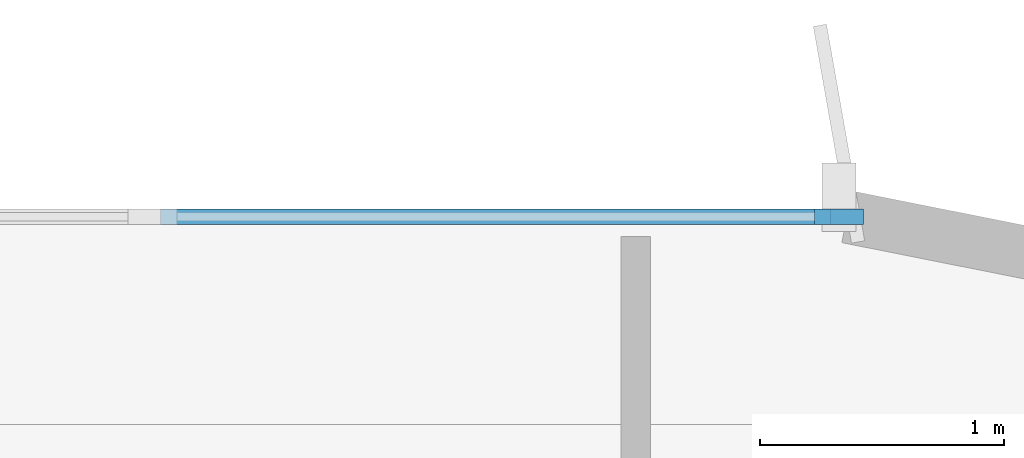
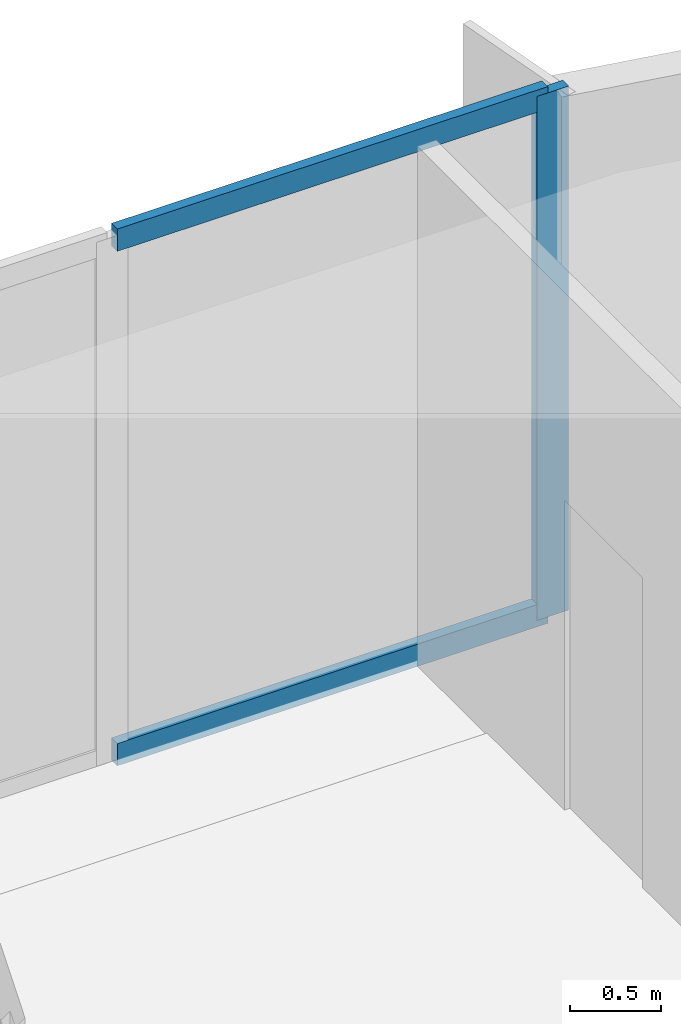
# One storey, part 8 of 19: 3 members, 1 element without a shape of its own.
"""IFC4 building model written with IfcOpenShell, lengths in metres."""

import ifcopenshell
import ifcopenshell.guid

model = None  # the IFC model being written
_history = None  # IfcOwnerHistory: only IFC2X3 demands one
_inside = {}  # id of a spatial element -> (the spatial element, [elements in it])
_under = {}  # id of a project, library or spatial element -> (it, [spatial elements below it])
_declared = {}  # id of a project -> (the project, [libraries it declares])
_typed = {}  # id of a type object -> (the type object, [elements of that type])
_made_of = {}  # id of a material, layer set ... -> (it, [elements and type objects made of it])


def new_model(schema):
    """Start an empty IFC model of exactly this schema.

    Asked for "IFC4X3", IfcOpenShell would pick the latest addendum, in which some entities
    have other attributes; the version numbers below select the first issue.
    IFC2X3 requires an IfcOwnerHistory on every rooted entity: one is made here for all.
    """
    global model, _history
    if schema == "IFC4X3":
        model = ifcopenshell.file(schema_version=(4, 3, 0, 0))
    else:
        model = ifcopenshell.file(schema=schema)
    _inside.clear()
    _under.clear()
    _declared.clear()
    _typed.clear()
    _made_of.clear()
    _history = None
    if model.schema == "IFC2X3":
        org = make("IfcOrganization", Name="unknown")
        user = make(
            "IfcPersonAndOrganization",
            ThePerson=make("IfcPerson", FamilyName="unknown"),
            TheOrganization=org,
        )
        app = make(
            "IfcApplication",
            ApplicationDeveloper=org,
            Version="unknown",
            ApplicationFullName="unknown",
            ApplicationIdentifier="unknown",
        )
        _history = make(
            "IfcOwnerHistory",
            OwningUser=user,
            OwningApplication=app,
            ChangeAction="ADDED",
            CreationDate=0,
        )
    return model


def make(cls, **values):
    """One entity of the class cls with the attributes given. An attribute that is None is left unset."""
    return model.create_entity(
        cls, **{name: value for name, value in values.items() if value is not None}
    )


def rooted(cls, **values):
    """An entity with a GlobalId (a new one), such as an element, a storey or a relation."""
    return make(cls, GlobalId=ifcopenshell.guid.new(), OwnerHistory=_history, **values)


def si_unit(unit_type, name, prefix=None):
    """IfcSIUnit, for example si_unit("LENGTHUNIT", "METRE", prefix="MILLI")."""
    return make("IfcSIUnit", UnitType=unit_type, Prefix=prefix, Name=name)


def assignment(units):
    """IfcUnitAssignment: the units of a project."""
    return None if units is None else make("IfcUnitAssignment", Units=units)


def point(xyz):
    """IfcCartesianPoint."""
    return None if xyz is None else make("IfcCartesianPoint", Coordinates=xyz)


def direction(xyz):
    """IfcDirection."""
    return None if xyz is None else make("IfcDirection", DirectionRatios=xyz)


def frame(location, z_axis=None, x_axis=None):
    """IfcAxis2Placement3D, a coordinate frame: its origin and axes. An axis left out is left unset."""
    return make(
        "IfcAxis2Placement3D",
        Location=point(location),
        Axis=direction(z_axis),
        RefDirection=direction(x_axis),
    )


def frame_2d(location, x_axis=None):
    """IfcAxis2Placement2D, a coordinate frame in the plane: its origin and x axis."""
    return make(
        "IfcAxis2Placement2D", Location=point(location), RefDirection=direction(x_axis)
    )


def origin():
    """The frame at (0, 0, 0) with its axes left unset."""
    return frame((0.0, 0.0, 0.0))


def origin_2d():
    """The frame at (0, 0) in the plane with its x axis left unset."""
    return frame_2d((0.0, 0.0))


def place(relative_to, where):
    """IfcLocalPlacement: puts the frame where relative to a parent placement (None: the world)."""
    return make(
        "IfcLocalPlacement", PlacementRelTo=relative_to, RelativePlacement=where
    )


def context(
    kind, dimensions, precision=None, world=None, true_north=None, identifier=None
):
    """IfcGeometricRepresentationContext, for example the 3D "Model" context."""
    return make(
        "IfcGeometricRepresentationContext",
        ContextIdentifier=identifier,
        ContextType=kind,
        CoordinateSpaceDimension=dimensions,
        Precision=precision,
        WorldCoordinateSystem=world,
        TrueNorth=true_north,
    )


def subcontext(parent, identifier, kind, view, scale=None):
    """IfcGeometricRepresentationSubContext, for example "Body" below "Model"."""
    return make(
        "IfcGeometricRepresentationSubContext",
        ContextIdentifier=identifier,
        ContextType=kind,
        ParentContext=parent,
        TargetScale=scale,
        TargetView=view,
    )


def project(units=None, contexts=None):
    """IfcProject with its units and contexts."""
    return rooted(
        "IfcProject",
        Name="project",
        RepresentationContexts=contexts,
        UnitsInContext=assignment(units),
    )


def spatial(cls, under=None, at=None, **own):
    """A site, building, storey or space (cls), placed at a placement, below another one or the project."""
    s = rooted(cls, ObjectPlacement=at, **own)
    if under is not None:
        _under.setdefault(under.id(), (under, []))[1].append(s)
    return s


def profile(cls, at=None, kind="AREA", **sizes):
    """A parametric profile (cls). Its sizes go by their IFC names, for example OverallWidth=200.0."""
    return make(cls, ProfileType=kind, Position=at, **sizes)


def rectangle(**sizes):
    """IfcRectangleProfileDef."""
    return profile("IfcRectangleProfileDef", **sizes)


def extrude(swept, where, along, depth):
    """IfcExtrudedAreaSolid: the profile swept, set in the frame where, extruded along a direction by depth."""
    return make(
        "IfcExtrudedAreaSolid",
        SweptArea=swept,
        Position=where,
        ExtrudedDirection=direction(along),
        Depth=depth,
    )


def shape(context_of_items, identifier, shape_type, items):
    """IfcShapeRepresentation: the items that make up one representation, for example the "Body"."""
    return make(
        "IfcShapeRepresentation",
        ContextOfItems=context_of_items,
        RepresentationIdentifier=identifier,
        RepresentationType=shape_type,
        Items=items,
    )


def source(mapping_origin, context_of_items, identifier, shape_type, items):
    """IfcRepresentationMap: a shape defined once, which mapped items show again and again."""
    return make(
        "IfcRepresentationMap",
        MappingOrigin=mapping_origin,
        MappedRepresentation=shape(context_of_items, identifier, shape_type, items),
    )


def transform(
    local_origin,
    x_axis=None,
    y_axis=None,
    z_axis=None,
    scale=None,
    scale2=None,
    scale3=None,
    uniform=True,
):
    """IfcCartesianTransformationOperator3D, or its non-uniform kind. x_axis, y_axis, z_axis: its Axis1, 2, 3."""
    if uniform:
        return make(
            "IfcCartesianTransformationOperator3D",
            Axis1=direction(x_axis),
            Axis2=direction(y_axis),
            LocalOrigin=point(local_origin),
            Scale=scale,
            Axis3=direction(z_axis),
        )
    return make(
        "IfcCartesianTransformationOperator3DnonUniform",
        Axis1=direction(x_axis),
        Axis2=direction(y_axis),
        LocalOrigin=point(local_origin),
        Scale=scale,
        Axis3=direction(z_axis),
        Scale2=scale2,
        Scale3=scale3,
    )


def mapped(mapping_source, mapping_target):
    """IfcMappedItem: shows the shape of a source again, moved by a transform."""
    return make(
        "IfcMappedItem", MappingSource=mapping_source, MappingTarget=mapping_target
    )


def material(Name=None, Category=None):
    """IfcMaterial."""
    return make("IfcMaterial", Name=Name, Category=Category)


def layer(
    of_material, thickness, ventilated=None, Name=None, Category=None, Priority=None
):
    """IfcMaterialLayer: one layer of a wall or slab, of a material (None: an air gap)."""
    return make(
        "IfcMaterialLayer",
        Material=of_material,
        LayerThickness=thickness,
        IsVentilated=ventilated,
        Name=Name,
        Category=Category,
        Priority=Priority,
    )


def layer_set(layers, Name=None):
    """IfcMaterialLayerSet."""
    return make("IfcMaterialLayerSet", MaterialLayers=layers, LayerSetName=Name)


def material_profile(
    of_material, cross_section, Name=None, Category=None, Priority=None
):
    """IfcMaterialProfile: a cross section and its material."""
    return make(
        "IfcMaterialProfile",
        Name=Name,
        Material=of_material,
        Profile=cross_section,
        Priority=Priority,
        Category=Category,
    )


def profile_set(profiles, Name=None, composite=None):
    """IfcMaterialProfileSet."""
    return make(
        "IfcMaterialProfileSet",
        Name=Name,
        MaterialProfiles=profiles,
        CompositeProfile=composite,
    )


def made_of(thing, what):
    """Note that an element or type object is made of a material, layer set ...; save() writes the relation."""
    if what is not None:
        _made_of.setdefault(what.id(), (what, []))[1].append(thing)
    return thing


def type_object(cls, material=None, **own):
    """A type object (cls), such as IfcWallType, which elements share."""
    return made_of(rooted(cls, **own), material)


def element(
    cls,
    number,
    at=None,
    inside=None,
    cuts=None,
    type_object=None,
    material=None,
    context=None,
    identifier="Body",
    shape_type=None,
    held_by="IfcProductDefinitionShape",
    body=None,
    shapes=None,
    **own,
):
    """One element of the class cls, such as IfcWall. Its Tag is "e" and its number.

    at: its placement. inside: the storey or other place that contains it. cuts: it is an
    opening in that element (IfcRelVoidsElement). A single representation is given by context,
    identifier, shape_type and body (its items); several are given by shapes. held_by: the class
    of the entity that holds the representations. save() writes the other relations.
    """
    e = rooted(cls, Tag="e%d" % number, ObjectPlacement=at, **own)
    if body is not None:
        shapes = [shape(context, identifier, shape_type, body)]
    if shapes is not None:
        e.Representation = make(held_by, Representations=shapes)
    if inside is not None:
        _inside.setdefault(inside.id(), (inside, []))[1].append(e)
    if cuts is not None:
        rooted(
            "IfcRelVoidsElement", RelatingBuildingElement=cuts, RelatedOpeningElement=e
        )
    if type_object is not None:
        _typed.setdefault(type_object.id(), (type_object, []))[1].append(e)
    return made_of(e, material)


def aggregate(whole, parts):
    """IfcRelAggregates: a whole, such as a stair, and the parts it consists of."""
    return rooted("IfcRelAggregates", RelatingObject=whole, RelatedObjects=parts)


def save(model, path):
    """Write the relations noted so far, then the file.

    IfcRelAggregates (storeys below a building ...), IfcRelContainedInSpatialStructure (elements
    in a storey), IfcRelDefinesByType, IfcRelAssociatesMaterial and IfcRelDeclares: one each for
    every whole, place, type object, material and project.
    """
    for whole, parts in _under.values():
        aggregate(whole, parts)
    for where, things in _inside.values():
        rooted(
            "IfcRelContainedInSpatialStructure",
            RelatedElements=things,
            RelatingStructure=where,
        )
    for kind, things in _typed.values():
        rooted("IfcRelDefinesByType", RelatedObjects=things, RelatingType=kind)
    for what, things in _made_of.values():
        rooted("IfcRelAssociatesMaterial", RelatedObjects=things, RelatingMaterial=what)
    for by, libraries in _declared.values():
        rooted("IfcRelDeclares", RelatingContext=by, RelatedDefinitions=libraries)
    model.write(path)


model = new_model("IFC4")

# Units and contexts
model_context = context("Model", 3, precision=1e-05, world=origin(), true_north=direction((0.0, 1.0)))
body_context = subcontext(model_context, "Body", "Model", "MODEL_VIEW")
ifc_project = project(units=[si_unit("LENGTHUNIT", "METRE"), si_unit("AREAUNIT", "SQUARE_METRE"), si_unit("VOLUMEUNIT", "CUBIC_METRE"), si_unit("PLANEANGLEUNIT", "RADIAN"), si_unit("MASSUNIT", "GRAM", prefix="KILO")], contexts=[model_context])

# Site, building, storey
site_placement = place(None, origin())
site = spatial("IfcSite", under=ifc_project, at=site_placement, CompositionType="ELEMENT")
building_placement = place(site_placement, origin())
building = spatial("IfcBuilding", under=site, at=building_placement, Name="Brelvock Crest Care Tower", CompositionType="ELEMENT")
storey_placement = place(building_placement, frame((0.0, 0.0, 34.56005859375)))
storey = spatial("IfcBuildingStorey", under=building, at=storey_placement, Name="L08", CompositionType="ELEMENT", Elevation=34.56005859375)

# Curtain wall, members
ifc_material_1 = material(Name="Dark Glass Double Glazed Low-E", Category="glass")
ifc_layer = layer(ifc_material_1, 0.195068359375, Name="CWS-2")
ifc_layer_set = layer_set([ifc_layer], Name="Dark Glass Double Glazed Low-E")
curtain_wall_type = type_object("IfcCurtainWallType", Name="CWS-2", PredefinedType="NOTDEFINED", material=ifc_layer_set)
curtain_wall_placement = place(storey_placement, origin())
curtain_wall = element("IfcCurtainWall", 1, at=curtain_wall_placement, inside=storey, type_object=curtain_wall_type, Name="L08 Curtain Wall E30", PredefinedType="NOTDEFINED")
ifc_material_2 = material(Name="Aluminium 6063-T6", Category="aluminium")
ifc_material_profile_1 = material_profile(ifc_material_2, rectangle(XDim=0.06494140625, YDim=0.199951171875, at=origin_2d()), Name="ALU65x200")
ifc_profile_set_1 = profile_set([ifc_material_profile_1], Name="Aluminium 6063-T6")
member_type_1 = type_object("IfcMemberType", Name="CWM-1", PredefinedType="MULLION", material=ifc_profile_set_1)
shared_shape_1 = source(origin(), body_context, "Body", "SweptSolid", [
    extrude(rectangle(XDim=0.06494140625, YDim=0.199951171875, at=origin_2d()), origin(), (0.0, 0.0, 1.0), 3.530029296875),
])
member_1_placement = place(storey_placement, frame((56.767578125, 36.0, 0.0), z_axis=(0.0, 0.0, 1.0), x_axis=(0.0, 1.0, 0.0)))
member_1 = element("IfcMember", 2, at=member_1_placement, type_object=member_type_1, Name="CW-2 mullion 6", PredefinedType="MULLION", context=body_context, shape_type="MappedRepresentation", body=[
    mapped(shared_shape_1, transform((0.0, 0.0, 0.0), x_axis=(1.0, 0.0, 0.0), y_axis=(0.0, 1.0, 0.0), z_axis=(0.0, 0.0, 1.0), scale=1.0)),
])
ifc_material_profile_2 = material_profile(ifc_material_2, rectangle(XDim=0.06494140625, YDim=0.14990234375, at=origin_2d()), Name="ALU65x150")
ifc_profile_set_2 = profile_set([ifc_material_profile_2], Name="Aluminium 6063-T6")
member_type_2 = type_object("IfcMemberType", Name="CWT-1", PredefinedType="USERDEFINED", material=ifc_profile_set_2)
shared_shape_2 = source(origin(), body_context, "Body", "SweptSolid", [
    extrude(rectangle(XDim=0.06494140625, YDim=0.14990234375, at=origin_2d()), origin(), (0.0, 0.0, 1.0), 2.74267578125),
])
member_2_placement = place(storey_placement, frame((53.992431640625, 36.0, 0.032470703125), z_axis=(1.0, 0.0, 0.0), x_axis=(0.0, 1.0, 0.0)))
member_2 = element("IfcMember", 3, at=member_2_placement, type_object=member_type_2, Name="CW-2 transom 5.1", ObjectType="TRANSOM", PredefinedType="USERDEFINED", context=body_context, shape_type="MappedRepresentation", body=[
    mapped(shared_shape_2, transform((0.0, 0.0, 0.0), x_axis=(1.0, 0.0, 0.0), y_axis=(0.0, 1.0, 0.0), z_axis=(0.0, 0.0, 1.0), scale=1.0)),
])
member_3_placement = place(storey_placement, frame((53.992431640625, 36.0, 3.49755859375), z_axis=(1.0, 0.0, 0.0), x_axis=(0.0, 1.0, 0.0)))
member_3 = element("IfcMember", 4, at=member_3_placement, type_object=member_type_2, Name="CW-2 transom 5.2", ObjectType="TRANSOM", PredefinedType="USERDEFINED", context=body_context, shape_type="MappedRepresentation", body=[
    mapped(shared_shape_2, transform((0.0, 0.0, 0.0), x_axis=(1.0, 0.0, 0.0), y_axis=(0.0, 1.0, 0.0), z_axis=(0.0, 0.0, 1.0), scale=1.0)),
])
aggregate(curtain_wall, [member_1, member_2, member_3])

save(model, "model.ifc")
